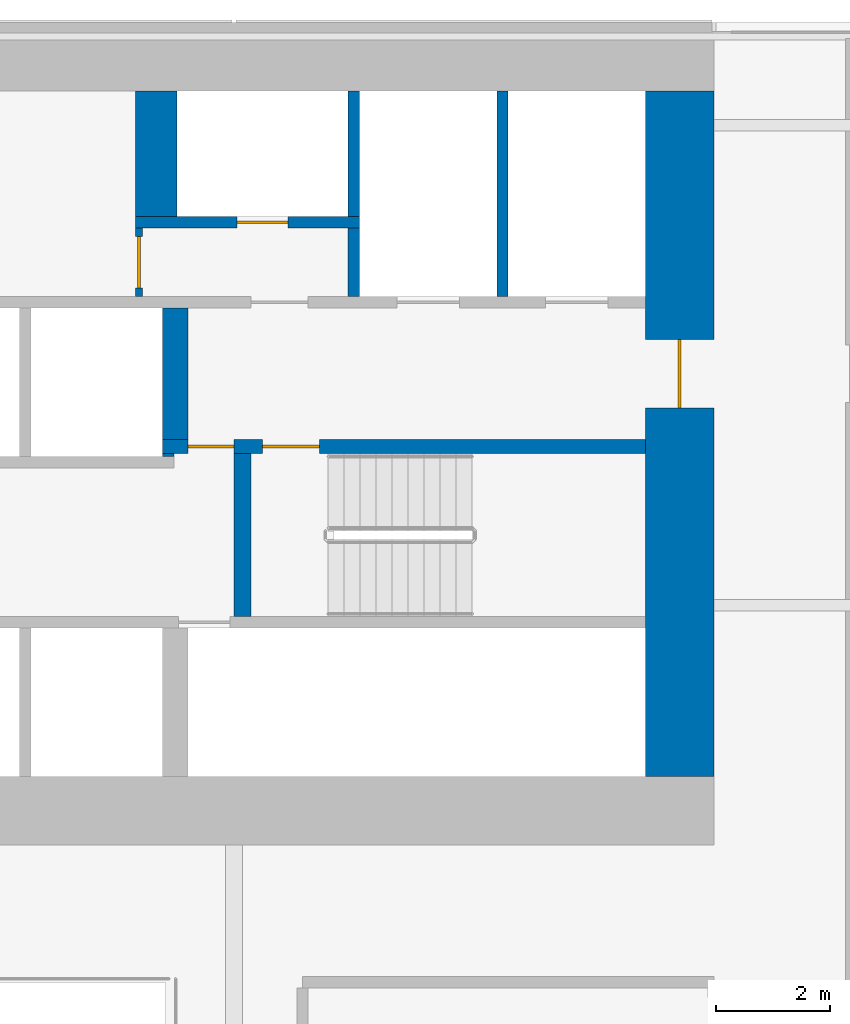
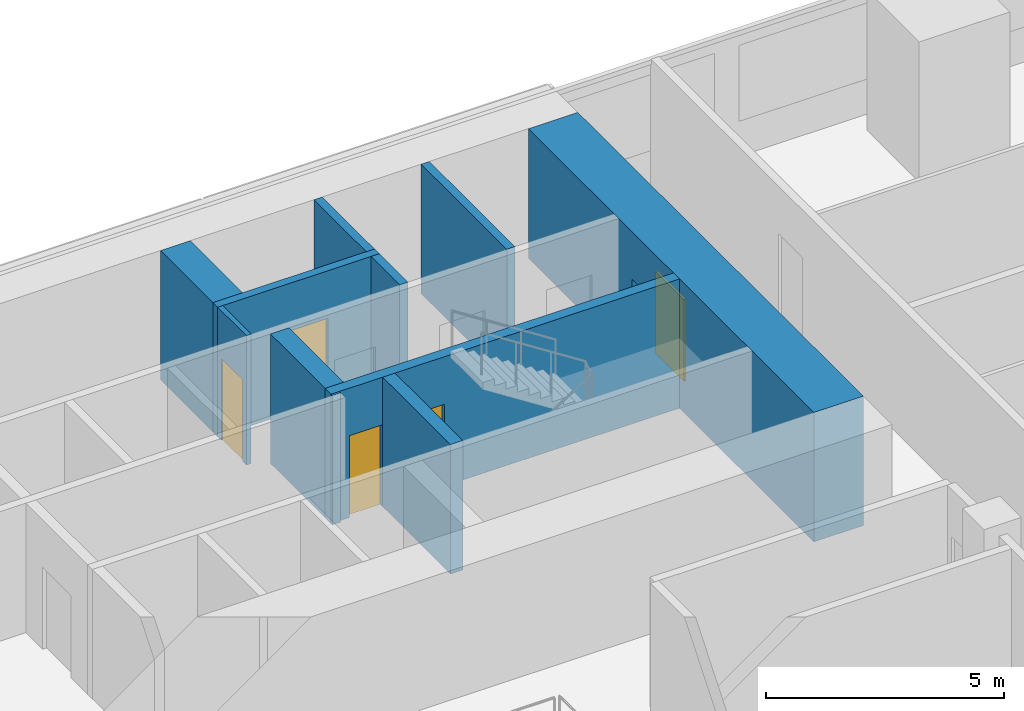
# One storey, part 20 of 27: 11 walls, 5 doors, 5 openings.
"""IFC4 building model written with IfcOpenShell, lengths in metres."""

from ifc_helpers import new_model, si_unit, direction, frame, frame_2d, origin, place, context, subcontext, project, spatial, rectangle, extrude, material, layer, layer_set, type_object, element, fill, save


model = new_model("IFC4")

# Units and contexts
model_context = context("Model", 3, precision=1e-05, world=origin(), true_north=direction((0.0, 1.0)))
body_context = subcontext(model_context, "Body", "Model", "MODEL_VIEW")
ifc_project = project(units=[si_unit("LENGTHUNIT", "METRE"), si_unit("AREAUNIT", "SQUARE_METRE"), si_unit("VOLUMEUNIT", "CUBIC_METRE"), si_unit("PLANEANGLEUNIT", "RADIAN"), si_unit("MASSUNIT", "GRAM", prefix="KILO")], contexts=[model_context])

# Site, building, storey
site_placement = place(None, origin())
site = spatial("IfcSite", under=ifc_project, at=site_placement, CompositionType="ELEMENT")
building_placement = place(site_placement, origin())
building = spatial("IfcBuilding", under=site, at=building_placement, Name="Saffron Gate Tower", CompositionType="ELEMENT")
storey_placement = place(building_placement, frame((0.0, 0.0, 76.800048828125)))
storey = spatial("IfcBuildingStorey", under=building, at=storey_placement, Name="L18", CompositionType="ELEMENT", Elevation=76.800048828125)

# Wall, opening, door
ifc_material_1 = material(Name="Concrete C70", Category="concrete")
ifc_layer_1 = layer(ifc_material_1, 1.199951171875)
ifc_layer_set_1 = layer_set([ifc_layer_1], Name="CW1 RC core wall 1200 C70")
wall_type_1 = type_object("IfcWallType", Name="CW1 RC core wall 1200 C70", PredefinedType="SOLIDWALL", material=ifc_layer_set_1)
wall_1_placement = place(storey_placement, frame((108.0, 62.39990234375, 0.0), z_axis=(0.0, 0.0, 1.0), x_axis=(0.0, 1.0, 0.0)))
wall_1 = element("IfcWall", 1, at=wall_1_placement, inside=storey, type_object=wall_type_1, Name="Wall CW1-L18-4", PredefinedType="SOLIDWALL", context=body_context, shape_type="SweptSolid", body=[
    extrude(rectangle(XDim=12.0, YDim=1.199951171875, at=frame_2d((6.0, 0.0))), origin(), (0.0, 0.0, 1.0), 3.320068359375),
])
opening_1_placement = place(wall_1_placement, frame((6.449951171875, 0.0, 0.0)))
opening_1 = element("IfcOpeningElement", 2, at=opening_1_placement, cuts=wall_1, Name="Opening CR-08", PredefinedType="OPENING", context=body_context, shape_type="SweptSolid", body=[
    extrude(rectangle(XDim=1.199951171875, YDim=2.10009765625, at=frame_2d((0.60009765625, 1.050048828125))), frame((0.0, 0.60986328125, 0.0), z_axis=(0.0, -1.0, 0.0), x_axis=(1.0, 0.0, 0.0)), (0.0, 0.0, 1.0), 1.219970703125),
])
ifc_material_2 = material(Name="Steel fire door set", Category="steel")
door_type_1 = type_object("IfcDoorType", Name="CD7 Core entrance door 1200x2100 EI 120", OperationType="NOTDEFINED", PredefinedType="DOOR", material=ifc_material_2)
door_1_placement = place(opening_1_placement, origin())
door_1 = element("IfcDoor", 3, at=door_1_placement, inside=storey, type_object=door_type_1, Name="DOOR CR-08", OperationType="SINGLE_SWING_RIGHT", OverallHeight=2.10009765625, OverallWidth=1.199951171875, PredefinedType="DOOR", context=body_context, shape_type="SweptSolid", body=[
    extrude(rectangle(XDim=1.199951171875, YDim=2.10009765625, at=frame_2d((0.60009765625, 1.050048828125))), frame((0.0, 0.02490234375, 0.0), z_axis=(0.0, -1.0, 0.0), x_axis=(1.0, 0.0, 0.0)), (0.0, 0.0, 1.0), 0.050048828125),
])
fill(opening_1, door_1)

# Wall
ifc_layer_2 = layer(ifc_material_1, 0.719970703125)
ifc_layer_set_2 = layer_set([ifc_layer_2], Name="CW11 RC core wall 720 C70")
wall_type_2 = type_object("IfcWallType", Name="CW11 RC core wall 720 C70", PredefinedType="SOLIDWALL", material=ifc_layer_set_2)
wall_2_placement = place(storey_placement, frame((98.840087890625, 72.199951171875, 0.0), z_axis=(0.0, 0.0, 1.0), x_axis=(0.0, 1.0, 0.0)))
element("IfcWall", 4, at=wall_2_placement, inside=storey, type_object=wall_type_2, Name="Wall CW11-L18-48", PredefinedType="SOLIDWALL", context=body_context, shape_type="SweptSolid", body=[
    extrude(rectangle(XDim=2.199951171875, YDim=0.719970703125, at=frame_2d((1.10009765625, 0.0))), origin(), (0.0, 0.0, 1.0), 3.320068359375),
])

# Wall, openings, doors
ifc_layer_3 = layer(ifc_material_1, 0.25)
ifc_layer_set_3 = layer_set([ifc_layer_3], Name="CW2 RC core wall 250 C70")
wall_type_3 = type_object("IfcWallType", Name="CW2 RC core wall 250 C70", PredefinedType="SOLIDWALL", material=ifc_layer_set_3)
wall_3_placement = place(storey_placement, frame((98.949951171875, 68.175048828125, 0.0), z_axis=(0.0, 0.0, 1.0), x_axis=(1.0, 0.0, 0.0)))
wall_3 = element("IfcWall", 5, at=wall_3_placement, inside=storey, type_object=wall_type_3, Name="Wall CW2-L18-31", PredefinedType="SOLIDWALL", context=body_context, shape_type="SweptSolid", body=[
    extrude(rectangle(XDim=8.449951171875, YDim=0.25, at=frame_2d((4.22509765625, 0.0))), origin(), (0.0, 0.0, 1.0), 3.320068359375),
])
opening_2_placement = place(wall_3_placement, frame((0.449951171875, 0.0, 0.0)))
opening_2 = element("IfcOpeningElement", 6, at=opening_2_placement, cuts=wall_3, Name="Opening CR-05", PredefinedType="OPENING", context=body_context, shape_type="SweptSolid", body=[
    extrude(rectangle(XDim=0.800048828125, YDim=2.10009765625, at=frame_2d((0.39990234375, 1.050048828125))), frame((0.0, 0.135009765625, 0.0), z_axis=(0.0, -1.0, 0.0), x_axis=(1.0, 0.0, 0.0)), (0.0, 0.0, 1.0), 0.27001953125),
])
opening_3_placement = place(wall_3_placement, frame((1.75, 0.0, 0.0)))
opening_3 = element("IfcOpeningElement", 7, at=opening_3_placement, cuts=wall_3, Name="Opening CR-16", PredefinedType="OPENING", context=body_context, shape_type="SweptSolid", body=[
    extrude(rectangle(XDim=1.0, YDim=2.10009765625, at=frame_2d((0.5, 1.050048828125))), frame((0.0, 0.135009765625, 0.0), z_axis=(0.0, -1.0, 0.0), x_axis=(1.0, 0.0, 0.0)), (0.0, 0.0, 1.0), 0.27001953125),
])
door_type_2 = type_object("IfcDoorType", Name="CD5 Stair door 1000x2100 EI 120", OperationType="NOTDEFINED", PredefinedType="DOOR", material=ifc_material_2)
door_2_placement = place(opening_3_placement, origin())
door_2 = element("IfcDoor", 8, at=door_2_placement, inside=storey, type_object=door_type_2, Name="DOOR CR-16", OperationType="SINGLE_SWING_RIGHT", OverallHeight=2.10009765625, OverallWidth=1.0, PredefinedType="DOOR", context=body_context, shape_type="SweptSolid", body=[
    extrude(rectangle(XDim=1.0, YDim=2.10009765625, at=frame_2d((0.5, 1.050048828125))), frame((0.0, 0.02490234375, 0.0), z_axis=(0.0, -1.0, 0.0), x_axis=(1.0, 0.0, 0.0)), (0.0, 0.0, 1.0), 0.050048828125),
])
fill(opening_3, door_2)
door_type_3 = type_object("IfcDoorType", Name="CD6 Lobby door 800x2100 EI 120", OperationType="NOTDEFINED", PredefinedType="DOOR", material=ifc_material_2)
door_3_placement = place(opening_2_placement, origin())
door_3 = element("IfcDoor", 9, at=door_3_placement, inside=storey, type_object=door_type_3, Name="DOOR CR-05", OperationType="SINGLE_SWING_LEFT", OverallHeight=2.10009765625, OverallWidth=0.800048828125, PredefinedType="DOOR", context=body_context, shape_type="SweptSolid", body=[
    extrude(rectangle(XDim=0.800048828125, YDim=2.10009765625, at=frame_2d((0.39990234375, 1.050048828125))), frame((0.0, 0.02490234375, 0.0), z_axis=(0.0, -1.0, 0.0), x_axis=(1.0, 0.0, 0.0)), (0.0, 0.0, 1.0), 0.050048828125),
])
fill(opening_2, door_3)

# Walls
ifc_layer_4 = layer(ifc_material_1, 0.199951171875)
ifc_layer_set_4 = layer_set([ifc_layer_4], Name="CW3 RC core wall 200 C70")
wall_type_4 = type_object("IfcWallType", Name="CW3 RC core wall 200 C70", PredefinedType="SOLIDWALL", material=ifc_layer_set_4)
wall_4_placement = place(storey_placement, frame((102.300048828125, 70.800048828125, 0.0), z_axis=(0.0, 0.0, 1.0), x_axis=(0.0, 1.0, 0.0)))
element("IfcWall", 10, at=wall_4_placement, inside=storey, type_object=wall_type_4, Name="Wall CW3-L18-41", PredefinedType="SOLIDWALL", context=body_context, shape_type="SweptSolid", body=[
    extrude(rectangle(XDim=1.199951171875, YDim=0.199951171875, at=frame_2d((0.60009765625, 0.0))), origin(), (0.0, 0.0, 1.0), 3.320068359375),
])
wall_5_placement = place(storey_placement, frame((104.89990234375, 70.800048828125, 0.0), z_axis=(0.0, 0.0, 1.0), x_axis=(0.0, 1.0, 0.0)))
element("IfcWall", 11, at=wall_5_placement, inside=storey, type_object=wall_type_4, Name="Wall CW3-L18-42", PredefinedType="SOLIDWALL", context=body_context, shape_type="SweptSolid", body=[
    extrude(rectangle(XDim=3.599853515625, YDim=0.199951171875, at=frame_2d((1.7998046875, 0.0))), origin(), (0.0, 0.0, 1.0), 3.320068359375),
])

# Wall, opening, door
wall_6_placement = place(storey_placement, frame((98.47998046875, 72.10009765625, 0.0), z_axis=(0.0, 0.0, 1.0), x_axis=(1.0, 0.0, 0.0)))
wall_6 = element("IfcWall", 12, at=wall_6_placement, inside=storey, type_object=wall_type_4, Name="Wall CW3-L18-44", PredefinedType="SOLIDWALL", context=body_context, shape_type="SweptSolid", body=[
    extrude(rectangle(XDim=3.919921875, YDim=0.199951171875, at=frame_2d((1.9599609375, 0.0))), origin(), (0.0, 0.0, 1.0), 3.320068359375),
])
opening_4_placement = place(wall_6_placement, frame((1.77001953125, 0.0, 0.0)))
opening_4 = element("IfcOpeningElement", 13, at=opening_4_placement, cuts=wall_6, Name="Opening CR-70", PredefinedType="OPENING", context=body_context, shape_type="SweptSolid", body=[
    extrude(rectangle(XDim=0.89990234375, YDim=2.10009765625, at=frame_2d((0.449951171875, 1.050048828125))), frame((0.0, 0.10986328125, 0.0), z_axis=(0.0, -1.0, 0.0), x_axis=(1.0, 0.0, 0.0)), (0.0, 0.0, 1.0), 0.219970703125),
])
door_type_4 = type_object("IfcDoorType", Name="CD2 Riser door 900x2100 EI 60", OperationType="NOTDEFINED", PredefinedType="DOOR", material=ifc_material_2)
door_4_placement = place(opening_4_placement, origin())
door_4 = element("IfcDoor", 14, at=door_4_placement, inside=storey, type_object=door_type_4, Name="DOOR CR-70", OperationType="SINGLE_SWING_LEFT", OverallHeight=2.10009765625, OverallWidth=0.89990234375, PredefinedType="DOOR", context=body_context, shape_type="SweptSolid", body=[
    extrude(rectangle(XDim=0.89990234375, YDim=2.10009765625, at=frame_2d((0.449951171875, 1.050048828125))), frame((0.0, 0.02490234375, 0.0), z_axis=(0.0, -1.0, 0.0), x_axis=(1.0, 0.0, 0.0)), (0.0, 0.0, 1.0), 0.050048828125),
])
fill(opening_4, door_4)

# Walls
wall_7_placement = place(storey_placement, frame((102.300048828125, 72.199951171875, 0.0), z_axis=(0.0, 0.0, 1.0), x_axis=(0.0, 1.0, 0.0)))
element("IfcWall", 15, at=wall_7_placement, inside=storey, type_object=wall_type_4, Name="Wall CW3-L18-49", PredefinedType="SOLIDWALL", context=body_context, shape_type="SweptSolid", body=[
    extrude(rectangle(XDim=2.199951171875, YDim=0.199951171875, at=frame_2d((1.10009765625, 0.0))), origin(), (0.0, 0.0, 1.0), 3.320068359375),
])
ifc_layer_5 = layer(ifc_material_1, 0.449951171875)
ifc_layer_set_5 = layer_set([ifc_layer_5], Name="CW4 RC core wall 450 C70")
wall_type_5 = type_object("IfcWallType", Name="CW4 RC core wall 450 C70", PredefinedType="SOLIDWALL", material=ifc_layer_set_5)
wall_8_placement = place(storey_placement, frame((99.175048828125, 68.300048828125, 0.0), z_axis=(0.0, 0.0, 1.0), x_axis=(0.0, 1.0, 0.0)))
element("IfcWall", 16, at=wall_8_placement, inside=storey, type_object=wall_type_5, Name="Wall CW4-L18-33", PredefinedType="SOLIDWALL", context=body_context, shape_type="SweptSolid", body=[
    extrude(rectangle(XDim=2.300048828125, YDim=0.449951171875, at=frame_2d((1.14990234375, 0.0))), origin(), (0.0, 0.0, 1.0), 3.320068359375),
])
ifc_layer_6 = layer(ifc_material_1, 0.300048828125)
ifc_layer_set_6 = layer_set([ifc_layer_6], Name="CW5 RC core wall 300 C70")
wall_type_6 = type_object("IfcWallType", Name="CW5 RC core wall 300 C70", PredefinedType="SOLIDWALL", material=ifc_layer_set_6)
wall_9_placement = place(storey_placement, frame((100.35009765625, 65.199951171875, 0.0), z_axis=(0.0, 0.0, 1.0), x_axis=(0.0, 1.0, 0.0)))
element("IfcWall", 17, at=wall_9_placement, inside=storey, type_object=wall_type_6, Name="Wall CW5-L18-19", PredefinedType="SOLIDWALL", context=body_context, shape_type="SweptSolid", body=[
    extrude(rectangle(XDim=2.85009765625, YDim=0.300048828125, at=frame_2d((1.425048828125, 0.0))), origin(), (0.0, 0.0, 1.0), 3.320068359375),
])
ifc_layer_7 = layer(ifc_material_1, 0.050048828125)
ifc_layer_set_7 = layer_set([ifc_layer_7], Name="CW6 RC core wall 50 C70")
wall_type_7 = type_object("IfcWallType", Name="CW6 RC core wall 50 C70", PredefinedType="SOLIDWALL", material=ifc_layer_set_7)
wall_10_placement = place(storey_placement, frame((98.949951171875, 68.02490234375, 0.0), z_axis=(0.0, 0.0, 1.0), x_axis=(1.0, 0.0, 0.0)))
element("IfcWall", 18, at=wall_10_placement, inside=storey, type_object=wall_type_7, Name="Wall CW6-L18-29", PredefinedType="SOLIDWALL", context=body_context, shape_type="SweptSolid", body=[
    extrude(rectangle(XDim=0.199951171875, YDim=0.050048828125, at=frame_2d((0.10009765625, 0.0))), origin(), (0.0, 0.0, 1.0), 3.320068359375),
])

# Wall, opening, door
ifc_material_3 = material(Name="Gypsum board partition on steel studs", Category="steel")
ifc_layer_8 = layer(ifc_material_3, 0.1201171875)
ifc_layer_set_8 = layer_set([ifc_layer_8], Name="CW8 Core partition 120")
wall_type_8 = type_object("IfcWallType", Name="CW8 Core partition 120", PredefinedType="PARTITIONING", material=ifc_layer_set_8)
wall_11_placement = place(storey_placement, frame((98.5400390625, 70.800048828125, 0.0), z_axis=(0.0, 0.0, 1.0), x_axis=(0.0, 1.0, 0.0)))
wall_11 = element("IfcWall", 19, at=wall_11_placement, inside=storey, type_object=wall_type_8, Name="Wall CW8-L18-40", PredefinedType="PARTITIONING", context=body_context, shape_type="SweptSolid", body=[
    extrude(rectangle(XDim=1.199951171875, YDim=0.1201171875, at=frame_2d((0.60009765625, 0.0))), origin(), (0.0, 0.0, 1.0), 3.320068359375),
])
opening_5_placement = place(wall_11_placement, frame((0.14990234375, 0.0, 0.0)))
opening_5 = element("IfcOpeningElement", 20, at=opening_5_placement, cuts=wall_11, Name="Opening CR-54", PredefinedType="OPENING", context=body_context, shape_type="SweptSolid", body=[
    extrude(rectangle(XDim=0.89990234375, YDim=2.10009765625, at=frame_2d((0.449951171875, 1.050048828125))), frame((0.0, 0.070068359375, 0.0), z_axis=(0.0, -1.0, 0.0), x_axis=(1.0, 0.0, 0.0)), (0.0, 0.0, 1.0), 0.14013671875),
])
door_type_5 = type_object("IfcDoorType", Name="CD9 Room door 900x2100 EI 60", OperationType="NOTDEFINED", PredefinedType="DOOR", material=ifc_material_2)
door_5_placement = place(opening_5_placement, origin())
door_5 = element("IfcDoor", 21, at=door_5_placement, inside=storey, type_object=door_type_5, Name="DOOR CR-54", OperationType="SINGLE_SWING_LEFT", OverallHeight=2.10009765625, OverallWidth=0.89990234375, PredefinedType="DOOR", context=body_context, shape_type="SweptSolid", body=[
    extrude(rectangle(XDim=0.89990234375, YDim=2.10009765625, at=frame_2d((0.449951171875, 1.050048828125))), frame((0.0, 0.02490234375, 0.0), z_axis=(0.0, -1.0, 0.0), x_axis=(1.0, 0.0, 0.0)), (0.0, 0.0, 1.0), 0.050048828125),
])
fill(opening_5, door_5)

save(model, "model.ifc")
